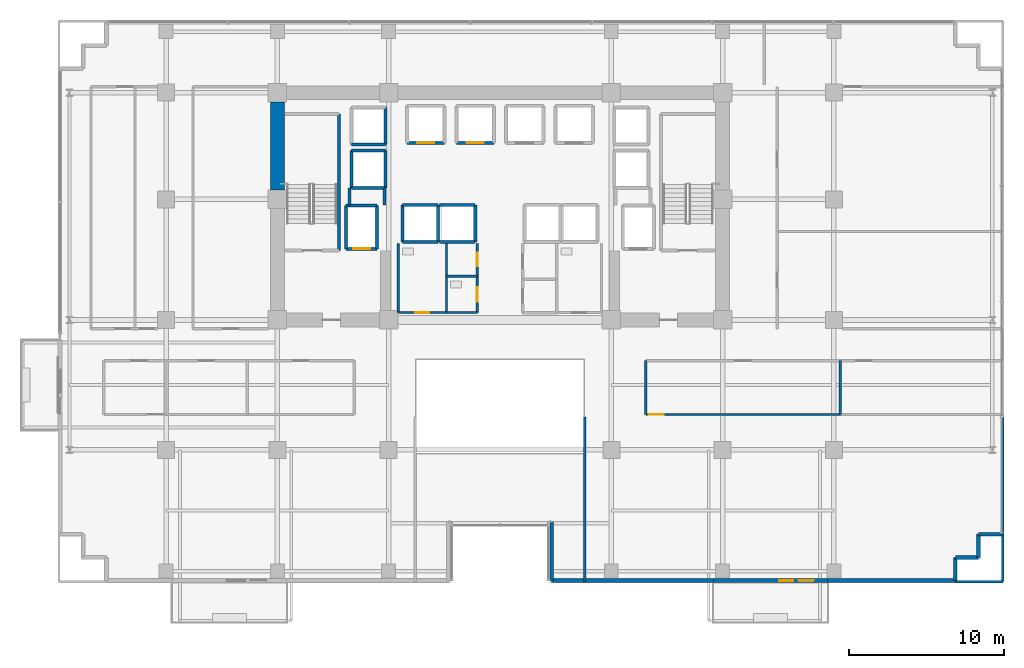
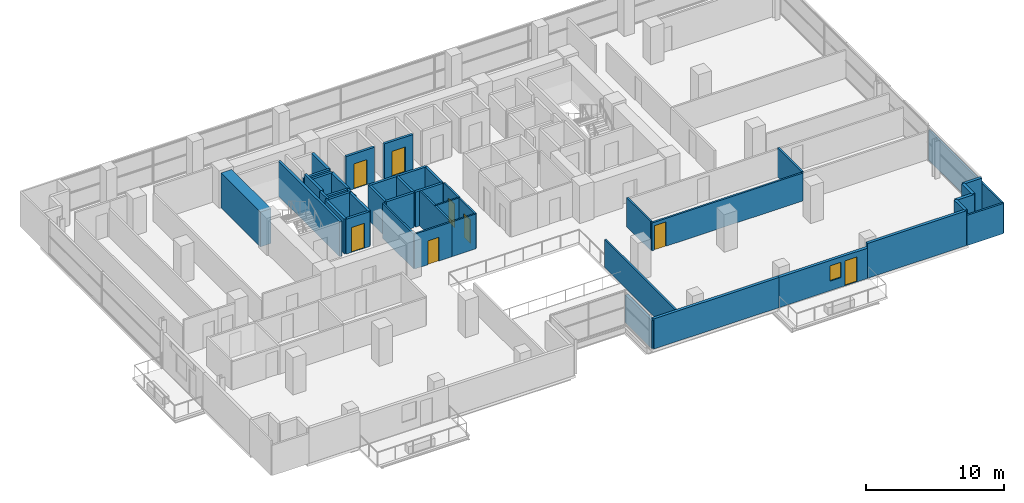
# One storey, part 25 of 31: 44 walls, 8 doors, 1 window, 9 openings.
"""IFC4 building model written with IfcOpenShell, lengths in metres."""

from ifc_helpers import new_model, si_unit, direction, frame, frame_2d, origin, place, context, subcontext, project, spatial, rectangle, extrude, source, transform, mapped, material, layer, layer_set, type_object, element, fill, save


model = new_model("IFC4")

# Units and contexts
model_context = context("Model", 3, precision=1e-05, world=origin(), true_north=direction((0.0, 1.0)))
body_context = subcontext(model_context, "Body", "Model", "MODEL_VIEW")
ifc_project = project(units=[si_unit("LENGTHUNIT", "METRE"), si_unit("AREAUNIT", "SQUARE_METRE"), si_unit("VOLUMEUNIT", "CUBIC_METRE"), si_unit("PLANEANGLEUNIT", "RADIAN"), si_unit("MASSUNIT", "GRAM", prefix="KILO")], contexts=[model_context])

# Site, building, storey
site_placement = place(None, origin())
site = spatial("IfcSite", under=ifc_project, at=site_placement, CompositionType="ELEMENT")
building_placement = place(site_placement, origin())
building = spatial("IfcBuilding", under=site, at=building_placement, Name="Zarnakvel Exchange Tower", CompositionType="ELEMENT")
storey_placement = place(building_placement, frame((0.0, 0.0, 67.0)))
storey = spatial("IfcBuildingStorey", under=building, at=storey_placement, Name="L18", CompositionType="ELEMENT", Elevation=67.0)

# Wall
ifc_material_1 = material(Name="Concrete C80/95", Category="concrete")
ifc_layer_1 = layer(ifc_material_1, 0.89990234375)
ifc_layer_set_1 = layer_set([ifc_layer_1], Name="Concrete C80/95")
wall_type_1 = type_object("IfcWallType", Name="CW-C1", PredefinedType="SHEAR", material=ifc_layer_set_1)
wall_1_placement = place(storey_placement, frame((-14.39990234375, 7.199951171875, 0.0), z_axis=(0.0, 0.0, 1.0), x_axis=(0.0, 1.0, 0.0)))
element("IfcWall", 1, at=wall_1_placement, inside=storey, type_object=wall_type_1, Name="L18 Rear Core Shear Wall W2 (CW-C1)", PredefinedType="SHEAR", context=body_context, shape_type="SweptSolid", body=[
    extrude(rectangle(XDim=5.699951171875, YDim=0.89990234375, at=frame_2d((2.85009765625, 0.0))), origin(), (0.0, 0.0, 1.0), 3.074951171875),
])

# Wall, openings, door, window
ifc_material_2 = material(Name="Precast concrete C40/50", Category="concrete")
ifc_layer_2 = layer(ifc_material_2, 0.239990234375)
ifc_layer_set_2 = layer_set([ifc_layer_2], Name="Precast concrete C40/50")
wall_type_2 = type_object("IfcWallType", Name="EW-02", PredefinedType="SOLIDWALL", material=ifc_layer_set_2)
wall_2_placement = place(storey_placement, frame((21.199951171875, -18.06005859375, 0.0), z_axis=(0.0, 0.0, 1.0), x_axis=(-1.0, 0.0, 0.0)))
wall_2 = element("IfcWall", 2, at=wall_2_placement, inside=storey, type_object=wall_type_2, Name="L18 Exterior Precast Spandrel Wall EW-BAL-L18-SE (EW-02)", PredefinedType="SOLIDWALL", context=body_context, shape_type="SweptSolid", body=[
    extrude(rectangle(XDim=7.39990234375, YDim=0.239990234375, at=frame_2d((3.699951171875, 0.0))), origin(), (0.0, 0.0, 1.0), 2.6650390625),
])
opening_1_placement = place(wall_2_placement, frame((0.887939453125, 0.0, 0.0)))
opening_1 = element("IfcOpeningElement", 3, at=opening_1_placement, cuts=wall_2, Name="Opening BD-L18-02", PredefinedType="OPENING", context=body_context, shape_type="SweptSolid", body=[
    extrude(rectangle(XDim=1.0, YDim=2.199951171875, at=frame_2d((0.5, 1.10009765625))), frame((0.0, 0.1298828125, 0.0), z_axis=(0.0, -1.0, 0.0), x_axis=(1.0, 0.0, 0.0)), (0.0, 0.0, 1.0), 0.260009765625),
])
opening_2_placement = place(wall_2_placement, frame((2.238037109375, 0.0, 0.85009765625)))
opening_2 = element("IfcOpeningElement", 4, at=opening_2_placement, cuts=wall_2, Name="Opening WN-06", PredefinedType="OPENING", context=body_context, shape_type="SweptSolid", body=[
    extrude(rectangle(XDim=0.89990234375, YDim=1.35009765625, at=frame_2d((0.449951171875, 0.675048828125))), frame((0.0, 0.1298828125, 0.0), z_axis=(0.0, -1.0, 0.0), x_axis=(1.0, 0.0, 0.0)), (0.0, 0.0, 1.0), 0.260009765625),
])
ifc_material_3 = material(Name="Architectural Bronze Anodised Aluminium", Category="aluminium")
door_type_1 = type_object("IfcDoorType", Name="DT-09", OperationType="NOTDEFINED", PredefinedType="DOOR", material=ifc_material_3)
shared_shape_1 = source(origin(), body_context, "Body", "SweptSolid", [
    extrude(rectangle(XDim=1.0, YDim=2.199951171875, at=frame_2d((0.5, 1.10009765625))), frame((0.0, 0.02490234375, 0.0), z_axis=(0.0, -1.0, 0.0), x_axis=(1.0, 0.0, 0.0)), (0.0, 0.0, 1.0), 0.050048828125),
])
door_1_placement = place(opening_1_placement, origin())
door_1 = element("IfcDoor", 5, at=door_1_placement, inside=storey, type_object=door_type_1, Name="L18 Planted Loggia Balcony Door BD-L18-02", OperationType="SINGLE_SWING_LEFT", OverallHeight=2.199951171875, OverallWidth=1.0, PredefinedType="DOOR", context=body_context, shape_type="MappedRepresentation", body=[
    mapped(shared_shape_1, transform((0.0, 0.0, 0.0), x_axis=(1.0, 0.0, 0.0), y_axis=(0.0, 1.0, 0.0), z_axis=(0.0, 0.0, 1.0), scale=1.0)),
])
fill(opening_1, door_1)
ifc_material_4 = material(Name="Double Low-E Laminated Vision Glass", Category="glass")
window_type = type_object("IfcWindowType", Name="WN-06", PartitioningType="SINGLE_PANEL", PredefinedType="WINDOW", material=ifc_material_4)
shared_shape_2 = source(origin(), body_context, "Body", "SweptSolid", [
    extrude(rectangle(XDim=0.89990234375, YDim=1.35009765625, at=frame_2d((0.449951171875, 0.675048828125))), frame((0.0, 0.030029296875, 0.0), z_axis=(0.0, -1.0, 0.0), x_axis=(1.0, 0.0, 0.0)), (0.0, 0.0, 1.0), 0.06005859375),
])
window_placement = place(opening_2_placement, origin())
window = element("IfcWindow", 6, at=window_placement, inside=storey, type_object=window_type, Name="L18 Loggia Daylight Window (WN-06)", OverallHeight=1.35009765625, OverallWidth=0.89990234375, PartitioningType="SINGLE_PANEL", PredefinedType="WINDOW", context=body_context, shape_type="MappedRepresentation", body=[
    mapped(shared_shape_2, transform((0.0, 0.0, 0.0), x_axis=(1.0, 0.0, 0.0), y_axis=(0.0, 1.0, 0.0), z_axis=(0.0, 0.0, 1.0), scale=1.0)),
])
fill(opening_2, window)

# Walls
for number, where, z_axis, x_axis, name in (
    (7, (30.9599609375, -15.06005859375, 0.0), (0.0, 0.0, 1.0), (1.0, 0.0, 0.0), "L18 Exterior Precast Spandrel Wall EWC-L18-11 (EW-02)"),
    (8, (30.9599609375, -16.56005859375, 0.0), (0.0, 0.0, 1.0), (0.0, 1.0, 0.0), "L18 Exterior Precast Spandrel Wall EWC-L18-12 (EW-02)"),
    (9, (29.4599609375, -16.56005859375, 0.0), (0.0, 0.0, 1.0), (1.0, 0.0, 0.0), "L18 Exterior Precast Spandrel Wall EWC-L18-13 (EW-02)"),
    (10, (29.4599609375, -18.06005859375, 0.0), (0.0, 0.0, 1.0), (0.0, 1.0, 0.0), "L18 Exterior Precast Spandrel Wall EWC-L18-14 (EW-02)"),
):
    element("IfcWall", number, at=place(storey_placement, frame(where, z_axis=z_axis, x_axis=x_axis)), inside=storey, type_object=wall_type_2, Name=name, PredefinedType="SOLIDWALL", context=body_context, shape_type="SweptSolid", body=[
        extrude(rectangle(XDim=1.5, YDim=0.239990234375, at=frame_2d((0.75, 0.0))), origin(), (0.0, 0.0, 1.0), 3.074951171875),
    ])
wall_3_placement = place(storey_placement, frame((21.199951171875, -18.06005859375, 0.0), z_axis=(0.0, 0.0, 1.0), x_axis=(1.0, 0.0, 0.0)))
element("IfcWall", 11, at=wall_3_placement, inside=storey, type_object=wall_type_2, Name="L18 Exterior Precast Spandrel Wall EWC-L18-15 (EW-02)", PredefinedType="SOLIDWALL", context=body_context, shape_type="SweptSolid", body=[
    extrude(rectangle(XDim=8.260009765625, YDim=0.239990234375, at=frame_2d((4.1298828125, 0.0))), origin(), (0.0, 0.0, 1.0), 3.074951171875),
])
wall_4_placement = place(storey_placement, frame((3.340087890625, -18.06005859375, 0.0), z_axis=(0.0, 0.0, 1.0), x_axis=(1.0, 0.0, 0.0)))
element("IfcWall", 12, at=wall_4_placement, inside=storey, type_object=wall_type_2, Name="L18 Exterior Precast Spandrel Wall EWC-L18-16 (EW-02)", PredefinedType="SOLIDWALL", context=body_context, shape_type="SweptSolid", body=[
    extrude(rectangle(XDim=10.4599609375, YDim=0.239990234375, at=frame_2d((5.22998046875, 0.0))), origin(), (0.0, 0.0, 1.0), 2.6650390625),
])
wall_5_placement = place(storey_placement, frame((3.340087890625, -14.260009765625, 0.0), z_axis=(0.0, 0.0, 1.0), x_axis=(0.0, -1.0, 0.0)))
element("IfcWall", 13, at=wall_5_placement, inside=storey, type_object=wall_type_2, Name="L18 Exterior Precast Spandrel Wall EWC-L18-17 (EW-02)", PredefinedType="SOLIDWALL", context=body_context, shape_type="SweptSolid", body=[
    extrude(rectangle(XDim=3.800048828125, YDim=0.239990234375, at=frame_2d((1.89990234375, 0.0))), origin(), (0.0, 0.0, 1.0), 2.465087890625),
])

# Wall, opening, door
ifc_material_5 = material(Name="Fire-Rated Gypsum Stud Partition", Category="gypsum")
ifc_layer_3 = layer(ifc_material_5, 0.14990234375)
ifc_layer_set_3 = layer_set([ifc_layer_3], Name="Fire-Rated Gypsum Stud Partition")
wall_type_3 = type_object("IfcWallType", Name="PT-01", PredefinedType="PARTITIONING", material=ifc_layer_set_3)
wall_6_placement = place(storey_placement, frame((-1.469970703125, 3.760009765625, 0.0), z_axis=(0.0, 0.0, 1.0), x_axis=(0.0, -1.0, 0.0)))
wall_6 = element("IfcWall", 14, at=wall_6_placement, inside=storey, type_object=wall_type_3, Name="L18 Partition Wall PWALL-L18-017 (PT-01)", PredefinedType="PARTITIONING", context=body_context, shape_type="SweptSolid", body=[
    extrude(rectangle(XDim=2.130126953125, YDim=0.14990234375, at=frame_2d((1.06494140625, 0.0))), origin(), (0.0, 0.0, 1.0), 3.074951171875),
])
opening_3_placement = place(wall_6_placement, frame((0.6201171875, 0.0, 0.0)))
opening_3 = element("IfcOpeningElement", 15, at=opening_3_placement, cuts=wall_6, Name="Opening D-L18-07", PredefinedType="OPENING", context=body_context, shape_type="SweptSolid", body=[
    extrude(rectangle(XDim=0.8798828125, YDim=2.10009765625, at=frame_2d((0.43994140625, 1.050048828125))), frame((0.0, 0.0849609375, 0.0), z_axis=(0.0, -1.0, 0.0), x_axis=(1.0, 0.0, 0.0)), (0.0, 0.0, 1.0), 0.169921875),
])
ifc_material_6 = material(Name="Painted Galvanised Steel S355", Category="steel")
door_type_2 = type_object("IfcDoorType", Name="DT-08", OperationType="NOTDEFINED", PredefinedType="DOOR", material=ifc_material_6)
shared_shape_3 = source(origin(), body_context, "Body", "SweptSolid", [
    extrude(rectangle(XDim=0.8798828125, YDim=2.10009765625, at=frame_2d((0.43994140625, 1.050048828125))), frame((0.0, 0.02490234375, 0.0), z_axis=(0.0, -1.0, 0.0), x_axis=(1.0, 0.0, 0.0)), (0.0, 0.0, 1.0), 0.050048828125),
])
door_2_placement = place(opening_3_placement, origin())
door_2 = element("IfcDoor", 16, at=door_2_placement, inside=storey, type_object=door_type_2, Name="L18 Core Comms Room Door D-L18-07", OperationType="SINGLE_SWING_LEFT", OverallHeight=2.10009765625, OverallWidth=0.8798828125, PredefinedType="DOOR", context=body_context, shape_type="MappedRepresentation", body=[
    mapped(shared_shape_3, transform((0.0, 0.0, 0.0), x_axis=(1.0, 0.0, 0.0), y_axis=(0.0, 1.0, 0.0), z_axis=(0.0, 0.0, 1.0), scale=1.0)),
])
fill(opening_3, door_2)

wall_7_placement = place(storey_placement, frame((22.015380859375, -7.320068359375, 0.0), z_axis=(0.0, 0.0, 1.0), x_axis=(-1.0, 0.0, 0.0)))
wall_7 = element("IfcWall", 17, at=wall_7_placement, inside=storey, type_object=wall_type_3, Name="L18 Partition Wall PWALL-L18-039 (PT-01)", PredefinedType="PARTITIONING", context=body_context, shape_type="SweptSolid", body=[
    extrude(rectangle(XDim=12.58544921875, YDim=0.14990234375, at=frame_2d((6.292724609375, 0.0))), origin(), (0.0, 0.0, 1.0), 2.465087890625),
])
opening_4_placement = place(wall_7_placement, frame((11.425537109375, 0.0, 0.0)))
opening_4 = element("IfcOpeningElement", 18, at=opening_4_placement, cuts=wall_7, Name="Opening D-L18-17", PredefinedType="OPENING", context=body_context, shape_type="SweptSolid", body=[
    extrude(rectangle(XDim=0.97998046875, YDim=2.14990234375, at=frame_2d((0.489990234375, 1.074951171875))), frame((0.0, 0.0849609375, 0.0), z_axis=(0.0, -1.0, 0.0), x_axis=(1.0, 0.0, 0.0)), (0.0, 0.0, 1.0), 0.169921875),
])
ifc_material_7 = material(Name="Timber Acoustic Veneer", Category="wood")
door_type_3 = type_object("IfcDoorType", Name="DT-05", OperationType="NOTDEFINED", PredefinedType="DOOR", material=ifc_material_7)
shared_shape_4 = source(origin(), body_context, "Body", "SweptSolid", [
    extrude(rectangle(XDim=0.97998046875, YDim=2.14990234375, at=frame_2d((0.489990234375, 1.074951171875))), frame((0.0, 0.02490234375, 0.0), z_axis=(0.0, -1.0, 0.0), x_axis=(1.0, 0.0, 0.0)), (0.0, 0.0, 1.0), 0.050048828125),
])
door_3_placement = place(opening_4_placement, origin())
door_3 = element("IfcDoor", 19, at=door_3_placement, inside=storey, type_object=door_type_3, Name="L18 Asset Management Office Door D-L18-17", OperationType="SINGLE_SWING_LEFT", OverallHeight=2.14990234375, OverallWidth=0.97998046875, PredefinedType="DOOR", context=body_context, shape_type="MappedRepresentation", body=[
    mapped(shared_shape_4, transform((0.0, 0.0, 0.0), x_axis=(1.0, 0.0, 0.0), y_axis=(0.0, 1.0, 0.0), z_axis=(0.0, 0.0, 1.0), scale=1.0)),
])
fill(opening_4, door_3)

# Walls
for number, where, z_axis, x_axis, name in (
    (20, (9.429931640625, -7.320068359375, 0.0), (0.0, 0.0, 1.0), (0.0, 1.0, 0.0), "L18 Partition Wall PWALL-L18-041 (PT-01)"),
    (21, (22.015380859375, -3.830078125, 0.0), (0.0, 0.0, 1.0), (0.0, -1.0, 0.0), "L18 Partition Wall PWALL-L18-042 (PT-01)"),
):
    element("IfcWall", number, at=place(storey_placement, frame(where, z_axis=z_axis, x_axis=x_axis)), inside=storey, type_object=wall_type_3, Name=name, PredefinedType="PARTITIONING", context=body_context, shape_type="SweptSolid", body=[
        extrude(rectangle(XDim=3.489990234375, YDim=0.14990234375, at=frame_2d((1.7451171875, 0.0))), origin(), (0.0, 0.0, 1.0), 2.56494140625),
    ])
wall_8_placement = place(storey_placement, frame((32.530029296875, -18.1298828125, 0.0), z_axis=(0.0, 0.0, 1.0), x_axis=(-1.0, 0.0, 0.0)))
element("IfcWall", 22, at=wall_8_placement, inside=storey, type_object=wall_type_3, Name="L18 Partition Wall PWALL-L18-046 (PT-01)", PredefinedType="PARTITIONING", context=body_context, shape_type="SweptSolid", body=[
    extrude(rectangle(XDim=3.070068359375, YDim=0.14990234375, at=frame_2d((1.53515625, 0.0))), origin(), (0.0, 0.0, 1.0), 2.6650390625),
])
wall_9_placement = place(storey_placement, frame((5.47998046875, -18.1298828125, 0.0), z_axis=(0.0, 0.0, 1.0), x_axis=(0.0, 1.0, 0.0)))
element("IfcWall", 23, at=wall_9_placement, inside=storey, type_object=wall_type_3, Name="L18 Partition Wall PWALL-L18-047 (PT-01)", PredefinedType="PARTITIONING", context=body_context, shape_type="SweptSolid", body=[
    extrude(rectangle(XDim=10.64990234375, YDim=0.14990234375, at=frame_2d((5.324951171875, 0.0))), origin(), (0.0, 0.0, 1.0), 2.465087890625),
])
wall_10_placement = place(storey_placement, frame((32.530029296875, -7.47998046875, 0.0), z_axis=(0.0, 0.0, 1.0), x_axis=(0.0, -1.0, 0.0)))
element("IfcWall", 24, at=wall_10_placement, inside=storey, type_object=wall_type_3, Name="L18 Partition Wall PWALL-L18-048 (PT-01)", PredefinedType="PARTITIONING", context=body_context, shape_type="SweptSolid", body=[
    extrude(rectangle(XDim=10.64990234375, YDim=0.14990234375, at=frame_2d((5.324951171875, 0.0))), origin(), (0.0, 0.0, 1.0), 2.6650390625),
])
ifc_layer_4 = layer(ifc_material_5, 0.179931640625)
ifc_layer_set_4 = layer_set([ifc_layer_4], Name="Fire-Rated Gypsum Stud Partition")
wall_type_4 = type_object("IfcWallType", Name="PT-02", PredefinedType="PARTITIONING", material=ifc_layer_set_4)
wall_11_placement = place(storey_placement, frame((-9.72998046875, 6.239990234375, 0.0), z_axis=(0.0, 0.0, 1.0), x_axis=(0.0, 1.0, 0.0)))
element("IfcWall", 25, at=wall_11_placement, inside=storey, type_object=wall_type_4, Name="L18 Partition Wall PWALL-L18-007 (PT-02)", PredefinedType="PARTITIONING", context=body_context, shape_type="SweptSolid", body=[
    extrude(rectangle(XDim=1.090087890625, YDim=0.179931640625, at=frame_2d((0.544921875, 0.0))), origin(), (0.0, 0.0, 1.0), 3.074951171875),
])
wall_12_placement = place(storey_placement, frame((-7.469970703125, 7.330078125, 0.0), z_axis=(0.0, 0.0, 1.0), x_axis=(0.0, -1.0, 0.0)))
element("IfcWall", 26, at=wall_12_placement, inside=storey, type_object=wall_type_4, Name="L18 Partition Wall PWALL-L18-008 (PT-02)", PredefinedType="PARTITIONING", context=body_context, shape_type="SweptSolid", body=[
    extrude(rectangle(XDim=1.090087890625, YDim=0.179931640625, at=frame_2d((0.544921875, 0.0))), origin(), (0.0, 0.0, 1.0), 2.465087890625),
])

# Wall, opening, door
ifc_material_8 = material(Name="Moisture-Resistant Tile-Faced Partition", Category="gypsum")
ifc_layer_5 = layer(ifc_material_8, 0.135009765625)
ifc_layer_set_5 = layer_set([ifc_layer_5], Name="Moisture-Resistant Tile-Faced Partition")
wall_type_5 = type_object("IfcWallType", Name="PT-03", PredefinedType="PARTITIONING", material=ifc_layer_set_5)
wall_13_placement = place(storey_placement, frame((-3.469970703125, -0.72998046875, 0.0), z_axis=(0.0, 0.0, 1.0), x_axis=(-1.0, 0.0, 0.0)))
wall_13 = element("IfcWall", 27, at=wall_13_placement, inside=storey, type_object=wall_type_5, Name="L18 Partition Wall PWALL-L18-011 (PT-03)", PredefinedType="PARTITIONING", context=body_context, shape_type="SweptSolid", body=[
    extrude(rectangle(XDim=3.110107421875, YDim=0.135009765625, at=frame_2d((1.55517578125, 0.0))), origin(), (0.0, 0.0, 1.0), 3.074951171875),
])
opening_5_placement = place(wall_13_placement, frame((1.090087890625, 0.0, 0.0)))
opening_5 = element("IfcOpeningElement", 28, at=opening_5_placement, cuts=wall_13, Name="Opening D-L18-05", PredefinedType="OPENING", context=body_context, shape_type="SweptSolid", body=[
    extrude(rectangle(XDim=0.919921875, YDim=2.10009765625, at=frame_2d((0.4599609375, 1.050048828125))), frame((0.0, 0.077392578125, 0.0), z_axis=(0.0, -1.0, 0.0), x_axis=(1.0, 0.0, 0.0)), (0.0, 0.0, 1.0), 0.155029296875),
])
ifc_material_9 = material(Name="Moisture-Resistant Laminate Timber", Category="wood")
door_type_4 = type_object("IfcDoorType", Name="DT-07", OperationType="NOTDEFINED", PredefinedType="DOOR", material=ifc_material_9)
shared_shape_5 = source(origin(), body_context, "Body", "SweptSolid", [
    extrude(rectangle(XDim=0.919921875, YDim=2.10009765625, at=frame_2d((0.4599609375, 1.050048828125))), frame((0.0, 0.02490234375, 0.0), z_axis=(0.0, -1.0, 0.0), x_axis=(1.0, 0.0, 0.0)), (0.0, 0.0, 1.0), 0.050048828125),
])
door_4_placement = place(opening_5_placement, origin())
door_4 = element("IfcDoor", 29, at=door_4_placement, inside=storey, type_object=door_type_4, Name="L18 Male Toilet Door D-L18-05", OperationType="SINGLE_SWING_LEFT", OverallHeight=2.10009765625, OverallWidth=0.919921875, PredefinedType="DOOR", context=body_context, shape_type="MappedRepresentation", body=[
    mapped(shared_shape_5, transform((0.0, 0.0, 0.0), x_axis=(1.0, 0.0, 0.0), y_axis=(0.0, 1.0, 0.0), z_axis=(0.0, 0.0, 1.0), scale=1.0)),
])
fill(opening_5, door_4)

# Walls
for number, where, z_axis, x_axis, name in (
    (30, (-6.580078125, -0.72998046875, 0.0), (0.0, 0.0, 1.0), (0.0, 1.0, 0.0), "L18 Partition Wall PWALL-L18-012 (PT-03)"),
    (31, (-3.469970703125, 3.760009765625, 0.0), (0.0, 0.0, 1.0), (0.0, -1.0, 0.0), "L18 Partition Wall PWALL-L18-013 (PT-03)"),
):
    element("IfcWall", number, at=place(storey_placement, frame(where, z_axis=z_axis, x_axis=x_axis)), inside=storey, type_object=wall_type_5, Name=name, PredefinedType="PARTITIONING", context=body_context, shape_type="SweptSolid", body=[
        extrude(rectangle(XDim=4.489990234375, YDim=0.135009765625, at=frame_2d((2.2451171875, 0.0))), origin(), (0.0, 0.0, 1.0), 3.074951171875),
    ])
for number, where, z_axis, x_axis, name in (
    (32, (-1.469970703125, -0.72998046875, 0.0), (0.0, 0.0, 1.0), (-1.0, 0.0, 0.0), "L18 Partition Wall PWALL-L18-014 (PT-03)"),
    (33, (-3.469970703125, 1.6298828125, 0.0), (0.0, 0.0, 1.0), (1.0, 0.0, 0.0), "L18 Partition Wall PWALL-L18-015 (PT-03)"),
):
    element("IfcWall", number, at=place(storey_placement, frame(where, z_axis=z_axis, x_axis=x_axis)), inside=storey, type_object=wall_type_5, Name=name, PredefinedType="PARTITIONING", context=body_context, shape_type="SweptSolid", body=[
        extrude(rectangle(XDim=2.0, YDim=0.135009765625, at=frame_2d((1.0, 0.0))), origin(), (0.0, 0.0, 1.0), 3.074951171875),
    ])

# Wall, opening, door
wall_14_placement = place(storey_placement, frame((-1.469970703125, 1.6298828125, 0.0), z_axis=(0.0, 0.0, 1.0), x_axis=(0.0, -1.0, 0.0)))
wall_14 = element("IfcWall", 34, at=wall_14_placement, inside=storey, type_object=wall_type_5, Name="L18 Partition Wall PWALL-L18-016 (PT-03)", PredefinedType="PARTITIONING", context=body_context, shape_type="SweptSolid", body=[
    extrude(rectangle(XDim=2.35986328125, YDim=0.135009765625, at=frame_2d((1.179931640625, 0.0))), origin(), (0.0, 0.0, 1.0), 3.074951171875),
])
opening_6_placement = place(wall_14_placement, frame((0.719970703125, 0.0, 0.0)))
opening_6 = element("IfcOpeningElement", 35, at=opening_6_placement, cuts=wall_14, Name="Opening D-L18-06", PredefinedType="OPENING", context=body_context, shape_type="SweptSolid", body=[
    extrude(rectangle(XDim=0.919921875, YDim=2.10009765625, at=frame_2d((0.4599609375, 1.050048828125))), frame((0.0, 0.077392578125, 0.0), z_axis=(0.0, -1.0, 0.0), x_axis=(1.0, 0.0, 0.0)), (0.0, 0.0, 1.0), 0.155029296875),
])
door_5_placement = place(opening_6_placement, origin())
door_5 = element("IfcDoor", 36, at=door_5_placement, inside=storey, type_object=door_type_4, Name="L18 Accessible Toilet Door D-L18-06", OperationType="SINGLE_SWING_RIGHT", OverallHeight=2.10009765625, OverallWidth=0.919921875, PredefinedType="DOOR", context=body_context, shape_type="MappedRepresentation", body=[
    mapped(shared_shape_5, transform((0.0, 0.0, 0.0), x_axis=(1.0, 0.0, 0.0), y_axis=(0.0, 1.0, 0.0), z_axis=(0.0, 0.0, 1.0), scale=1.0)),
])
fill(opening_6, door_5)

ifc_material_10 = material(Name="Concrete C40/50", Category="concrete")
ifc_layer_6 = layer(ifc_material_10, 0.199951171875)
ifc_layer_set_6 = layer_set([ifc_layer_6], Name="Concrete C40/50")
wall_type_6 = type_object("IfcWallType", Name="SW-01", PredefinedType="SOLIDWALL", material=ifc_layer_set_6)
wall_15_placement = place(storey_placement, frame((-7.949951171875, 3.39990234375, 0.0), z_axis=(0.0, 0.0, 1.0), x_axis=(-1.0, 0.0, 0.0)))
wall_15 = element("IfcWall", 37, at=wall_15_placement, inside=storey, type_object=wall_type_6, Name="L18 FL-01 Hoistway Wall South", PredefinedType="SOLIDWALL", context=body_context, shape_type="SweptSolid", body=[
    extrude(rectangle(XDim=2.0, YDim=0.199951171875, at=frame_2d((1.0, 0.0))), origin(), (0.0, 0.0, 1.0), 3.074951171875),
])
opening_7_placement = place(wall_15_placement, frame((0.449951171875, 0.0, 0.0)))
opening_7 = element("IfcOpeningElement", 38, at=opening_7_placement, cuts=wall_15, Name="Opening LD-FL-01-L18", PredefinedType="OPENING", context=body_context, shape_type="SweptSolid", body=[
    extrude(rectangle(XDim=1.10009765625, YDim=2.199951171875, at=frame_2d((0.550048828125, 1.10009765625))), frame((0.0, 0.10986328125, 0.0), z_axis=(0.0, -1.0, 0.0), x_axis=(1.0, 0.0, 0.0)), (0.0, 0.0, 1.0), 0.219970703125),
])
ifc_material_11 = material(Name="Brushed Stainless Steel", Category="steel")
door_type_5 = type_object("IfcDoorType", Name="LDT-01", OperationType="NOTDEFINED", PredefinedType="DOOR", material=ifc_material_11)
shared_shape_6 = source(origin(), body_context, "Body", "SweptSolid", [
    extrude(rectangle(XDim=1.10009765625, YDim=2.199951171875, at=frame_2d((0.550048828125, 1.10009765625))), frame((0.0, 0.02490234375, 0.0), z_axis=(0.0, -1.0, 0.0), x_axis=(1.0, 0.0, 0.0)), (0.0, 0.0, 1.0), 0.050048828125),
])
door_6_placement = place(opening_7_placement, origin())
door_6 = element("IfcDoor", 39, at=door_6_placement, inside=storey, type_object=door_type_5, Name="L18 FL-01 Lift Landing Door LD-FL-01-L18", OperationType="DOUBLE_DOOR_SLIDING", OverallHeight=2.199951171875, OverallWidth=1.10009765625, PredefinedType="DOOR", context=body_context, shape_type="MappedRepresentation", body=[
    mapped(shared_shape_6, transform((0.0, 0.0, 0.0), x_axis=(1.0, 0.0, 0.0), y_axis=(0.0, 1.0, 0.0), z_axis=(0.0, 0.0, 1.0), scale=1.0)),
])
fill(opening_7, door_6)

# Walls
wall_16_placement = place(storey_placement, frame((-9.949951171875, 6.199951171875, 0.0), z_axis=(0.0, 0.0, 1.0), x_axis=(1.0, 0.0, 0.0)))
element("IfcWall", 40, at=wall_16_placement, inside=storey, type_object=wall_type_6, Name="L18 FL-01 Hoistway Wall North", PredefinedType="SOLIDWALL", context=body_context, shape_type="SweptSolid", body=[
    extrude(rectangle(XDim=2.0, YDim=0.199951171875, at=frame_2d((1.0, 0.0))), origin(), (0.0, 0.0, 1.0), 3.074951171875),
])
for number, where, z_axis, x_axis, name in (
    (41, (-9.949951171875, 3.39990234375, 0.0), (0.0, 0.0, 1.0), (0.0, 1.0, 0.0), "L18 FL-01 Hoistway Wall West"),
    (42, (-7.949951171875, 6.199951171875, 0.0), (0.0, 0.0, 1.0), (0.0, -1.0, 0.0), "L18 FL-01 Hoistway Wall East"),
):
    element("IfcWall", number, at=place(storey_placement, frame(where, z_axis=z_axis, x_axis=x_axis)), inside=storey, type_object=wall_type_6, Name=name, PredefinedType="SOLIDWALL", context=body_context, shape_type="SweptSolid", body=[
        extrude(rectangle(XDim=2.800048828125, YDim=0.199951171875, at=frame_2d((1.39990234375, 0.0))), origin(), (0.0, 0.0, 1.0), 3.074951171875),
    ])

# Wall, opening, door
wall_17_placement = place(storey_placement, frame((-3.60009765625, 10.25, 0.0), z_axis=(0.0, 0.0, 1.0), x_axis=(-1.0, 0.0, 0.0)))
wall_17 = element("IfcWall", 43, at=wall_17_placement, inside=storey, type_object=wall_type_6, Name="L18 PL-01 Hoistway Wall South", PredefinedType="SOLIDWALL", context=body_context, shape_type="SweptSolid", body=[
    extrude(rectangle(XDim=2.39990234375, YDim=0.199951171875, at=frame_2d((1.199951171875, 0.0))), origin(), (0.0, 0.0, 1.0), 3.074951171875),
])
opening_8_placement = place(wall_17_placement, frame((0.64990234375, 0.0, 0.0)))
opening_8 = element("IfcOpeningElement", 44, at=opening_8_placement, cuts=wall_17, Name="Opening LD-PL-01-L18", PredefinedType="OPENING", context=body_context, shape_type="SweptSolid", body=[
    extrude(rectangle(XDim=1.10009765625, YDim=2.199951171875, at=frame_2d((0.550048828125, 1.10009765625))), frame((0.0, 0.10986328125, 0.0), z_axis=(0.0, -1.0, 0.0), x_axis=(1.0, 0.0, 0.0)), (0.0, 0.0, 1.0), 0.219970703125),
])
door_type_6 = type_object("IfcDoorType", Name="LDT-02", OperationType="NOTDEFINED", PredefinedType="DOOR", material=ifc_material_3)
door_7_placement = place(opening_8_placement, origin())
door_7 = element("IfcDoor", 45, at=door_7_placement, inside=storey, type_object=door_type_6, Name="L18 PL-01 Lift Landing Door LD-PL-01-L18", OperationType="DOUBLE_DOOR_SLIDING", OverallHeight=2.199951171875, OverallWidth=1.10009765625, PredefinedType="DOOR", context=body_context, shape_type="MappedRepresentation", body=[
    mapped(shared_shape_6, transform((0.0, 0.0, 0.0), x_axis=(1.0, 0.0, 0.0), y_axis=(0.0, 1.0, 0.0), z_axis=(0.0, 0.0, 1.0), scale=1.0)),
])
fill(opening_8, door_7)

wall_18_placement = place(storey_placement, frame((-0.39990234375, 10.25, 0.0), z_axis=(0.0, 0.0, 1.0), x_axis=(-1.0, 0.0, 0.0)))
wall_18 = element("IfcWall", 46, at=wall_18_placement, inside=storey, type_object=wall_type_6, Name="L18 PL-02 Hoistway Wall South", PredefinedType="SOLIDWALL", context=body_context, shape_type="SweptSolid", body=[
    extrude(rectangle(XDim=2.400146484375, YDim=0.199951171875, at=frame_2d((1.2001953125, 0.0))), origin(), (0.0, 0.0, 1.0), 3.074951171875),
])
opening_9_placement = place(wall_18_placement, frame((0.64990234375, 0.0, 0.0)))
opening_9 = element("IfcOpeningElement", 47, at=opening_9_placement, cuts=wall_18, Name="Opening LD-PL-02-L18", PredefinedType="OPENING", context=body_context, shape_type="SweptSolid", body=[
    extrude(rectangle(XDim=1.10009765625, YDim=2.199951171875, at=frame_2d((0.550048828125, 1.10009765625))), frame((0.0, 0.10986328125, 0.0), z_axis=(0.0, -1.0, 0.0), x_axis=(1.0, 0.0, 0.0)), (0.0, 0.0, 1.0), 0.219970703125),
])
door_8_placement = place(opening_9_placement, origin())
door_8 = element("IfcDoor", 48, at=door_8_placement, inside=storey, type_object=door_type_6, Name="L18 PL-02 Lift Landing Door LD-PL-02-L18", OperationType="DOUBLE_DOOR_SLIDING", OverallHeight=2.199951171875, OverallWidth=1.10009765625, PredefinedType="DOOR", context=body_context, shape_type="MappedRepresentation", body=[
    mapped(shared_shape_6, transform((0.0, 0.0, 0.0), x_axis=(1.0, 0.0, 0.0), y_axis=(0.0, 1.0, 0.0), z_axis=(0.0, 0.0, 1.0), scale=1.0)),
])
fill(opening_9, door_8)

# Walls
for number, where, z_axis, x_axis, name in (
    (49, (-4.0, 3.85009765625, 0.0), (0.0, 0.0, 1.0), (-1.0, 0.0, 0.0), "L18 PL-05 Hoistway Wall South"),
    (50, (-6.300048828125, 6.25, 0.0), (0.0, 0.0, 1.0), (1.0, 0.0, 0.0), "L18 PL-05 Hoistway Wall North"),
):
    element("IfcWall", number, at=place(storey_placement, frame(where, z_axis=z_axis, x_axis=x_axis)), inside=storey, type_object=wall_type_6, Name=name, PredefinedType="SOLIDWALL", context=body_context, shape_type="SweptSolid", body=[
        extrude(rectangle(XDim=2.300048828125, YDim=0.199951171875, at=frame_2d((1.14990234375, 0.0))), origin(), (0.0, 0.0, 1.0), 3.074951171875),
    ])
for number, where, z_axis, x_axis, name in (
    (51, (-6.300048828125, 3.85009765625, 0.0), (0.0, 0.0, 1.0), (0.0, 1.0, 0.0), "L18 PL-05 Hoistway Wall West"),
    (52, (-4.0, 6.25, 0.0), (0.0, 0.0, 1.0), (0.0, -1.0, 0.0), "L18 PL-05 Hoistway Wall East"),
):
    element("IfcWall", number, at=place(storey_placement, frame(where, z_axis=z_axis, x_axis=x_axis)), inside=storey, type_object=wall_type_6, Name=name, PredefinedType="SOLIDWALL", context=body_context, shape_type="SweptSolid", body=[
        extrude(rectangle(XDim=2.39990234375, YDim=0.199951171875, at=frame_2d((1.199951171875, 0.0))), origin(), (0.0, 0.0, 1.0), 3.074951171875),
    ])
for number, where, z_axis, x_axis, name in (
    (53, (-1.60009765625, 3.85009765625, 0.0), (0.0, 0.0, 1.0), (-1.0, 0.0, 0.0), "L18 PL-06 Hoistway Wall South"),
    (54, (-3.89990234375, 6.25, 0.0), (0.0, 0.0, 1.0), (1.0, 0.0, 0.0), "L18 PL-06 Hoistway Wall North"),
):
    element("IfcWall", number, at=place(storey_placement, frame(where, z_axis=z_axis, x_axis=x_axis)), inside=storey, type_object=wall_type_6, Name=name, PredefinedType="SOLIDWALL", context=body_context, shape_type="SweptSolid", body=[
        extrude(rectangle(XDim=2.2998046875, YDim=0.199951171875, at=frame_2d((1.14990234375, 0.0))), origin(), (0.0, 0.0, 1.0), 3.074951171875),
    ])
wall_19_placement = place(storey_placement, frame((-1.60009765625, 6.25, 0.0), z_axis=(0.0, 0.0, 1.0), x_axis=(0.0, -1.0, 0.0)))
element("IfcWall", 55, at=wall_19_placement, inside=storey, type_object=wall_type_6, Name="L18 PL-06 Hoistway Wall East", PredefinedType="SOLIDWALL", context=body_context, shape_type="SweptSolid", body=[
    extrude(rectangle(XDim=2.39990234375, YDim=0.199951171875, at=frame_2d((1.199951171875, 0.0))), origin(), (0.0, 0.0, 1.0), 3.074951171875),
])
for number, where, z_axis, x_axis, name in (
    (56, (-7.39990234375, 7.35009765625, 0.0), (0.0, 0.0, 1.0), (-1.0, 0.0, 0.0), "L18 PL-09 Hoistway Wall South"),
    (57, (-9.60009765625, 9.75, 0.0), (0.0, 0.0, 1.0), (1.0, 0.0, 0.0), "L18 PL-09 Hoistway Wall North"),
):
    element("IfcWall", number, at=place(storey_placement, frame(where, z_axis=z_axis, x_axis=x_axis)), inside=storey, type_object=wall_type_6, Name=name, PredefinedType="SOLIDWALL", context=body_context, shape_type="SweptSolid", body=[
        extrude(rectangle(XDim=2.2001953125, YDim=0.199951171875, at=frame_2d((1.10009765625, 0.0))), origin(), (0.0, 0.0, 1.0), 2.465087890625),
    ])
wall_20_placement = place(storey_placement, frame((-9.60009765625, 7.35009765625, 0.0), z_axis=(0.0, 0.0, 1.0), x_axis=(0.0, 1.0, 0.0)))
element("IfcWall", 58, at=wall_20_placement, inside=storey, type_object=wall_type_6, Name="L18 PL-09 Hoistway Wall West", PredefinedType="SOLIDWALL", context=body_context, shape_type="SweptSolid", body=[
    extrude(rectangle(XDim=2.39990234375, YDim=0.199951171875, at=frame_2d((1.199951171875, 0.0))), origin(), (0.0, 0.0, 1.0), 3.074951171875),
])
wall_21_placement = place(storey_placement, frame((-7.39990234375, 9.75, 0.0), z_axis=(0.0, 0.0, 1.0), x_axis=(0.0, -1.0, 0.0)))
element("IfcWall", 59, at=wall_21_placement, inside=storey, type_object=wall_type_6, Name="L18 PL-09 Hoistway Wall East", PredefinedType="SOLIDWALL", context=body_context, shape_type="SweptSolid", body=[
    extrude(rectangle(XDim=2.39990234375, YDim=0.199951171875, at=frame_2d((1.199951171875, 0.0))), origin(), (0.0, 0.0, 1.0), 2.465087890625),
])
wall_22_placement = place(storey_placement, frame((-7.39990234375, 10.14990234375, 0.0), z_axis=(0.0, 0.0, 1.0), x_axis=(-1.0, 0.0, 0.0)))
element("IfcWall", 60, at=wall_22_placement, inside=storey, type_object=wall_type_6, Name="L18 PL-10 Hoistway Wall South", PredefinedType="SOLIDWALL", context=body_context, shape_type="SweptSolid", body=[
    extrude(rectangle(XDim=2.2001953125, YDim=0.199951171875, at=frame_2d((1.10009765625, 0.0))), origin(), (0.0, 0.0, 1.0), 2.465087890625),
])
wall_23_placement = place(storey_placement, frame((-7.39990234375, 12.550048828125, 0.0), z_axis=(0.0, 0.0, 1.0), x_axis=(0.0, -1.0, 0.0)))
element("IfcWall", 61, at=wall_23_placement, inside=storey, type_object=wall_type_6, Name="L18 PL-10 Hoistway Wall East", PredefinedType="SOLIDWALL", context=body_context, shape_type="SweptSolid", body=[
    extrude(rectangle(XDim=2.400146484375, YDim=0.199951171875, at=frame_2d((1.2001953125, 0.0))), origin(), (0.0, 0.0, 1.0), 2.465087890625),
])
ifc_layer_7 = layer(ifc_material_10, 0.199951171875)
ifc_layer_set_7 = layer_set([ifc_layer_7], Name="Concrete C40/50")
wall_type_7 = type_object("IfcWallType", Name="SW-02", PredefinedType="SOLIDWALL", material=ifc_layer_set_7)
wall_24_placement = place(storey_placement, frame((-10.409912109375, 12.1298828125, 0.0), z_axis=(0.0, 0.0, 1.0), x_axis=(0.0, -1.0, 0.0)))
element("IfcWall", 62, at=wall_24_placement, inside=storey, type_object=wall_type_7, Name="L18 Stairwell Core Wall PWALL-L18-003 (SW-02)", PredefinedType="SOLIDWALL", context=body_context, shape_type="SweptSolid", body=[
    extrude(rectangle(XDim=8.83984375, YDim=0.199951171875, at=frame_2d((4.419921875, 0.0))), origin(), (0.0, 0.0, 1.0), 3.074951171875),
])

save(model, "model.ifc")
